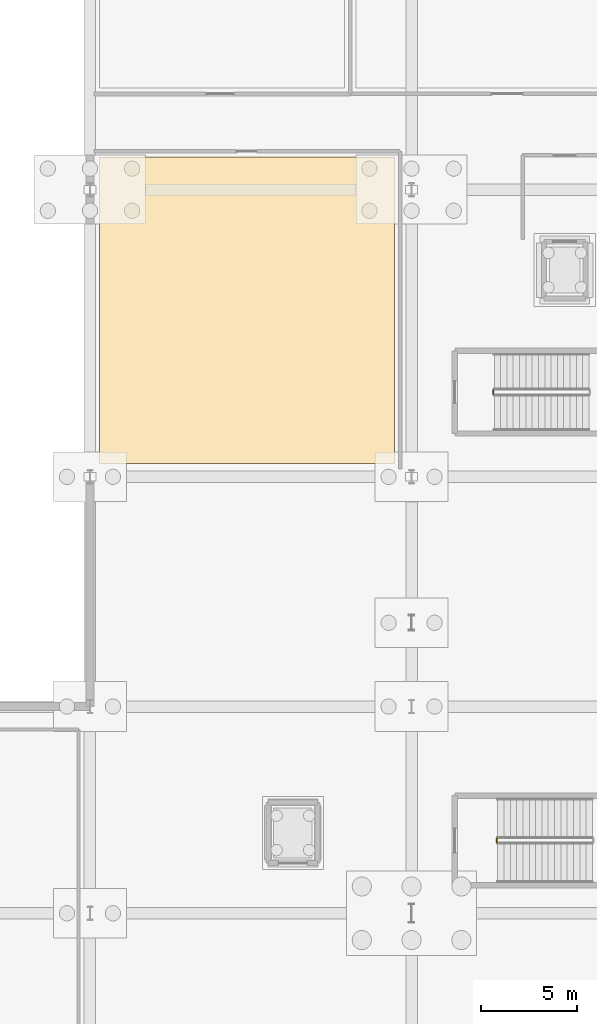
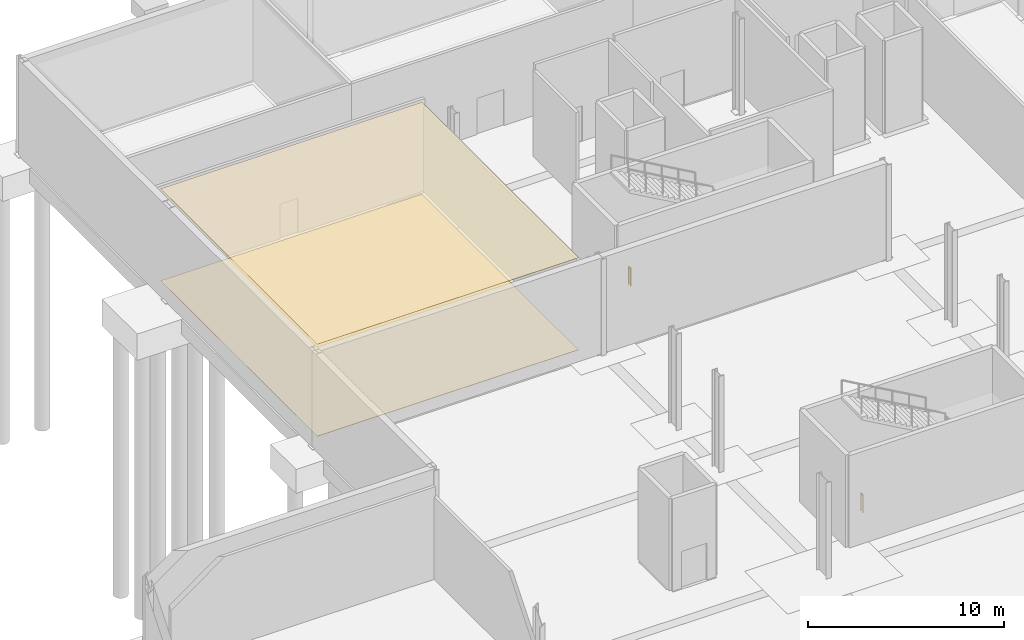
# One storey, part 38 of 46: 2 coverings, 2 railings.
"""IFC4 building model written with IfcOpenShell, lengths in metres."""

from ifc_helpers import new_model, si_unit, direction, frame, origin, origin_2d, place, context, subcontext, project, spatial, polyline, circle, outline, extrude, material, layer, layer_set, type_object, element, save


model = new_model("IFC4")

# Units and contexts
model_context = context("Model", 3, precision=1e-05, world=origin(), true_north=direction((0.0, 1.0)))
body_context = subcontext(model_context, "Body", "Model", "MODEL_VIEW")
ifc_project = project(units=[si_unit("LENGTHUNIT", "METRE"), si_unit("AREAUNIT", "SQUARE_METRE"), si_unit("VOLUMEUNIT", "CUBIC_METRE"), si_unit("PLANEANGLEUNIT", "RADIAN"), si_unit("MASSUNIT", "GRAM", prefix="KILO")], contexts=[model_context])

# Site, building, storey
site_placement = place(None, origin())
site = spatial("IfcSite", under=ifc_project, at=site_placement, CompositionType="ELEMENT")
building_placement = place(site_placement, origin())
building = spatial("IfcBuilding", under=site, at=building_placement, Name="Kimbaza Rail Terminus", CompositionType="ELEMENT")
storey_placement = place(building_placement, frame((0.0, 0.0, -6.0)))
storey = spatial("IfcBuildingStorey", under=building, at=storey_placement, Name="B1", CompositionType="ELEMENT", Elevation=-6.0)

# Coverings
ifc_material_1 = material(Name="Perforated acoustic mineral ceiling tile", Category="gypsum")
ifc_layer_1 = layer(ifc_material_1, 0.02490234375)
ifc_layer_set_1 = layer_set([ifc_layer_1], Name="Perforated acoustic mineral ceiling tile")
covering_type_1 = type_object("IfcCoveringType", Name="ARC-COV-CEIL", PredefinedType="CEILING", material=ifc_layer_set_1)
covering_1_placement = place(storey_placement, frame((0.0, 0.0, 5.72998046875)))
element("IfcCovering", 1, at=covering_1_placement, inside=storey, type_object=covering_type_1, Name="B1 West Signalling Design Office Acoustic Ceiling", PredefinedType="CEILING", context=body_context, shape_type="SweptSolid", body=[
    extrude(outline(polyline([(55.699951171875, 103.699951171875), (71.10009765625, 103.699951171875), (71.10009765625, 119.699951171875), (55.699951171875, 119.699951171875), (55.699951171875, 103.699951171875)])), origin(), (0.0, 0.0, 1.0), 0.02490234375),
])
ifc_material_2 = material(Name="Honed Congolese granite terrazzo flooring", Category="masonry")
ifc_layer_2 = layer(ifc_material_2, 0.02001953125)
ifc_layer_set_2 = layer_set([ifc_layer_2], Name="Honed Congolese granite terrazzo flooring")
covering_type_2 = type_object("IfcCoveringType", Name="ARC-COV-FLOR", PredefinedType="FLOORING", material=ifc_layer_set_2)
covering_2_placement = place(storey_placement, origin())
element("IfcCovering", 2, at=covering_2_placement, inside=storey, type_object=covering_type_2, Name="B1 West Signalling Design Office Terrazzo Flooring", PredefinedType="FLOORING", context=body_context, shape_type="SweptSolid", body=[
    extrude(outline(polyline([(55.699951171875, 103.699951171875), (71.10009765625, 103.699951171875), (71.10009765625, 119.699951171875), (55.699951171875, 119.699951171875), (55.699951171875, 103.699951171875)])), origin(), (0.0, 0.0, 1.0), 0.02001953125),
])

# Railings
ifc_material_3 = material(Name="Painted tubular steel stair well guard", Category="steel")
railing_type = type_object("IfcRailingType", Name="ARC-RL-STGRD", PredefinedType="GUARDRAIL", material=ifc_material_3)
railing_1_placement = place(storey_placement, frame((76.27001953125, 107.320068359375, 0.0)))
element("IfcRailing", 3, at=railing_1_placement, inside=storey, type_object=railing_type, Name="B1 ST-W1 stair guard 4", PredefinedType="GUARDRAIL", context=body_context, shape_type="SweptSolid", body=[
    extrude(circle(Radius=0.02392578125, at=origin_2d()), frame((0.0, 0.0, 1.09619140625), z_axis=(0.0, 1.0, 0.0), x_axis=(-1.0, 0.0, 0.0)), (0.0, 0.0, 1.0), 0.199951171875),
    extrude(circle(Radius=0.02099609375, at=origin_2d()), origin(), (0.0, 0.0, 1.0), 1.072021484375),
    extrude(circle(Radius=0.02099609375, at=origin_2d()), frame((0.0, 0.199951171875, 0.0)), (0.0, 0.0, 1.0), 1.072021484375),
])
railing_2_placement = place(storey_placement, frame((76.449951171875, 83.89990234375, 0.0)))
element("IfcRailing", 4, at=railing_2_placement, inside=storey, type_object=railing_type, Name="B1 ST-C1 stair guard 4", PredefinedType="GUARDRAIL", context=body_context, shape_type="SweptSolid", body=[
    extrude(circle(Radius=0.02392578125, at=origin_2d()), frame((0.0, 0.0, 1.09619140625), z_axis=(0.0, 1.0, 0.0), x_axis=(-1.0, 0.0, 0.0)), (0.0, 0.0, 1.0), 0.2001953125),
    extrude(circle(Radius=0.02099609375, at=origin_2d()), origin(), (0.0, 0.0, 1.0), 1.072021484375),
    extrude(circle(Radius=0.02099609375, at=origin_2d()), frame((0.0, 0.2001953125, 0.0)), (0.0, 0.0, 1.0), 1.072021484375),
])

save(model, "model.ifc")
